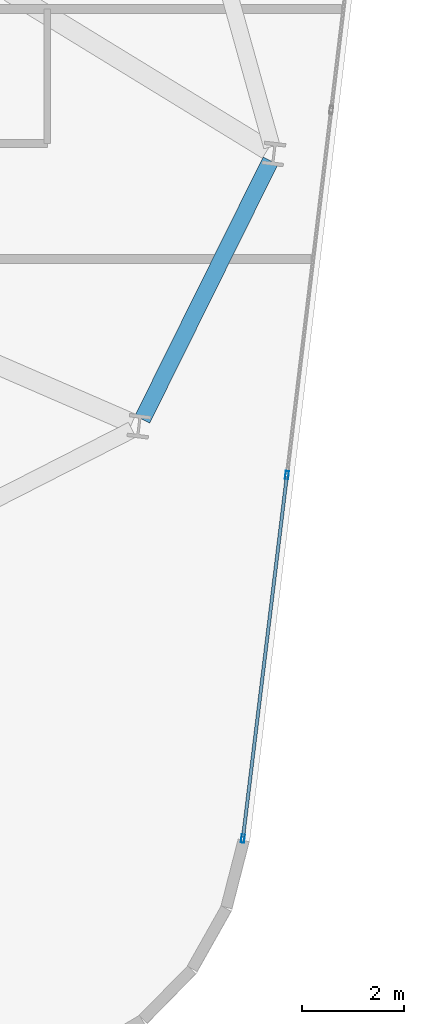
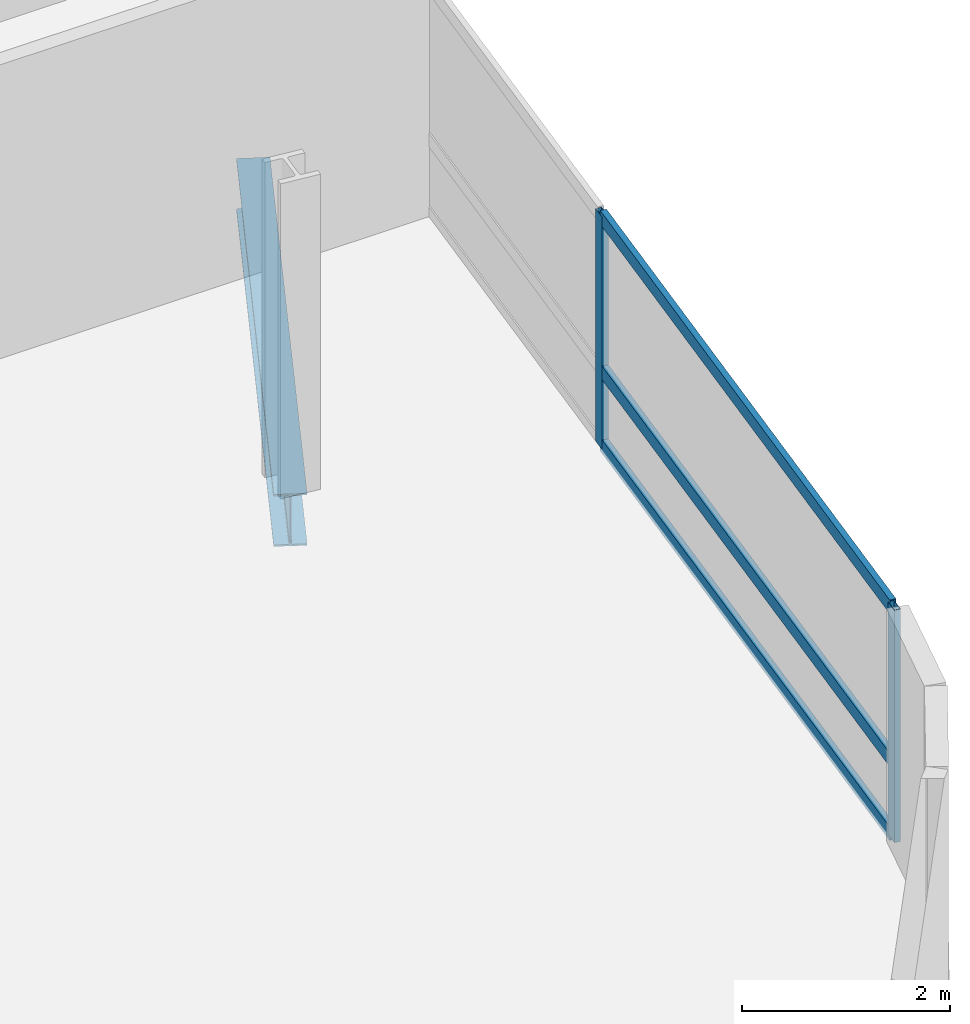
# One storey, part 14 of 25: 5 members, 1 beam, 1 element without a shape of its own.
"""IFC4 building model written with IfcOpenShell, lengths in metres."""

from ifc_helpers import new_model, si_unit, direction, frame, origin, origin_2d, place, context, subcontext, project, spatial, hollow_rectangle, i_section, extrude, material, layer, layer_set, material_profile, profile_set, type_object, element, aggregate, save


model = new_model("IFC4")

# Units and contexts
model_context = context("Model", 3, precision=1e-05, world=origin(), true_north=direction((0.0, 1.0)))
body_context = subcontext(model_context, "Body", "Model", "MODEL_VIEW")
ifc_project = project(units=[si_unit("LENGTHUNIT", "METRE"), si_unit("AREAUNIT", "SQUARE_METRE"), si_unit("VOLUMEUNIT", "CUBIC_METRE"), si_unit("PLANEANGLEUNIT", "RADIAN"), si_unit("MASSUNIT", "GRAM", prefix="KILO")], contexts=[model_context])

# Site, building, storey
site_placement = place(None, origin())
site = spatial("IfcSite", under=ifc_project, at=site_placement, CompositionType="ELEMENT")
building_placement = place(site_placement, origin())
building = spatial("IfcBuilding", under=site, at=building_placement, Name="Varnelok Gate Tower", CompositionType="ELEMENT")
storey_placement = place(building_placement, frame((0.0, 0.0, 132.800048828125)))
storey = spatial("IfcBuildingStorey", under=building, at=storey_placement, Name="L33", CompositionType="ELEMENT", Elevation=132.800048828125)

# Beam
ifc_material_1 = material(Name="Structural Steel ASTM A992 Grade 50", Category="steel")
ifc_material_profile_1 = material_profile(ifc_material_1, i_section(OverallWidth=0.323974609375, OverallDepth=0.611083984375, WebThickness=0.0126953125, FlangeThickness=0.01904296875, FilletRadius=0.01806640625, at=origin_2d()), Name="W24X104")
ifc_profile_set_1 = profile_set([ifc_material_profile_1], Name="Structural Steel ASTM A992 Grade 50")
beam_type = type_object("IfcBeamType", Name="BM-SPN-W24X104", PredefinedType="SPANDREL", material=ifc_profile_set_1)
beam_placement = place(storey_placement, frame((71.859619140625, 11.20849609375, -0.5556640625), z_axis=(0.44413424616, 0.895960251009, 0.0), x_axis=(-0.895960251009, 0.44413424616, 0.0)))
element("IfcBeam", 1, at=beam_placement, inside=storey, type_object=beam_type, Name="L33 Perimeter Spandrel Beam 6", PredefinedType="SPANDREL", context=body_context, shape_type="SweptSolid", body=[
    extrude(i_section(OverallWidth=0.323974609375, OverallDepth=0.611083984375, WebThickness=0.0126953125, FlangeThickness=0.01904296875, FilletRadius=0.01806640625, at=origin_2d()), origin(), (0.0, 0.0, 1.0), 5.64990234375),
])

# Curtain wall, members
ifc_material_2 = material(Name="Anodized Aluminum Alloy 6063-T6", Category="aluminium")
ifc_layer = layer(ifc_material_2, 0.179931640625)
ifc_layer_set = layer_set([ifc_layer], Name="Anodized Aluminum Alloy 6063-T6")
curtain_wall_type = type_object("IfcCurtainWallType", Name="CW3-HOTEL-VISION", PredefinedType="USERDEFINED", material=ifc_layer_set)
curtain_wall_placement = place(storey_placement, origin())
curtain_wall = element("IfcCurtainWall", 2, at=curtain_wall_placement, inside=storey, type_object=curtain_wall_type, Name="L33 East End Vision Curtain Wall", ObjectType="UNITISED CURTAIN WALL", PredefinedType="USERDEFINED")
ifc_material_profile_2 = material_profile(ifc_material_2, hollow_rectangle(XDim=0.06494140625, YDim=0.159912109375, WallThickness=0.00390625, at=origin_2d()), Name="ALU160X65X4")
ifc_profile_set_2 = profile_set([ifc_material_profile_2], Name="Anodized Aluminum Alloy 6063-T6")
member_type_1 = type_object("IfcMemberType", Name="CW-MULL-160", PredefinedType="MULLION", material=ifc_profile_set_2)
member_1_placement = place(storey_placement, frame((74.69091796875, 10.118408203125, 0.0), z_axis=(0.0, 0.0, 1.0), x_axis=(0.99273188146, -0.120347046212, 0.0)))
member_1 = element("IfcMember", 3, at=member_1_placement, type_object=member_type_1, Name="CW3 mullion 5", PredefinedType="MULLION", context=body_context, shape_type="SweptSolid", body=[
    extrude(hollow_rectangle(XDim=0.06494140625, YDim=0.159912109375, WallThickness=0.00390625, at=origin_2d()), origin(), (0.0, 0.0, 1.0), 2.72998046875),
])
member_2_placement = place(storey_placement, frame((73.828369140625, 3.003173828125, 0.0), z_axis=(0.0, 0.0, 1.0), x_axis=(0.99273188146, -0.120347046212, 0.0)))
member_2 = element("IfcMember", 4, at=member_2_placement, type_object=member_type_1, Name="CW3 mullion 6", PredefinedType="MULLION", context=body_context, shape_type="SweptSolid", body=[
    extrude(hollow_rectangle(XDim=0.06494140625, YDim=0.159912109375, WallThickness=0.00390625, at=origin_2d()), origin(), (0.0, 0.0, 1.0), 2.72998046875),
])
ifc_material_profile_3 = material_profile(ifc_material_2, hollow_rectangle(XDim=0.06494140625, YDim=0.159912109375, WallThickness=0.00390625, at=origin_2d()), Name="ALU160X65X4")
ifc_profile_set_3 = profile_set([ifc_material_profile_3], Name="Anodized Aluminum Alloy 6063-T6")
member_type_2 = type_object("IfcMemberType", Name="CW-TRAN-160", PredefinedType="USERDEFINED", material=ifc_profile_set_3)
member_3_placement = place(storey_placement, frame((74.68701171875, 10.086181640625, 0.032470703125), z_axis=(-0.120344712857, -0.992732164326, 0.0), x_axis=(0.992732164326, -0.120344712857, 0.0)))
member_3 = element("IfcMember", 5, at=member_3_placement, type_object=member_type_2, Name="CW3 transom 5.1", ObjectType="TRANSOM", PredefinedType="USERDEFINED", context=body_context, shape_type="SweptSolid", body=[
    extrude(hollow_rectangle(XDim=0.06494140625, YDim=0.159912109375, WallThickness=0.00390625, at=origin_2d()), origin(), (0.0, 0.0, 1.0), 7.102294921875),
])
member_4_placement = place(storey_placement, frame((74.68701171875, 10.086181640625, 0.89990234375), z_axis=(-0.120344712857, -0.992732164326, 0.0), x_axis=(0.992732164326, -0.120344712857, 0.0)))
member_4 = element("IfcMember", 6, at=member_4_placement, type_object=member_type_2, Name="CW3 transom 5.2", ObjectType="TRANSOM", PredefinedType="USERDEFINED", context=body_context, shape_type="SweptSolid", body=[
    extrude(hollow_rectangle(XDim=0.06494140625, YDim=0.159912109375, WallThickness=0.00390625, at=origin_2d()), origin(), (0.0, 0.0, 1.0), 7.102294921875),
])
member_5_placement = place(storey_placement, frame((74.68701171875, 10.086181640625, 2.697509765625), z_axis=(-0.120344712857, -0.992732164326, 0.0), x_axis=(0.992732164326, -0.120344712857, 0.0)))
member_5 = element("IfcMember", 7, at=member_5_placement, type_object=member_type_2, Name="CW3 transom 5.3", ObjectType="TRANSOM", PredefinedType="USERDEFINED", context=body_context, shape_type="SweptSolid", body=[
    extrude(hollow_rectangle(XDim=0.06494140625, YDim=0.159912109375, WallThickness=0.00390625, at=origin_2d()), origin(), (0.0, 0.0, 1.0), 7.102294921875),
])
aggregate(curtain_wall, [member_1, member_2, member_3, member_4, member_5])

save(model, "model.ifc")
